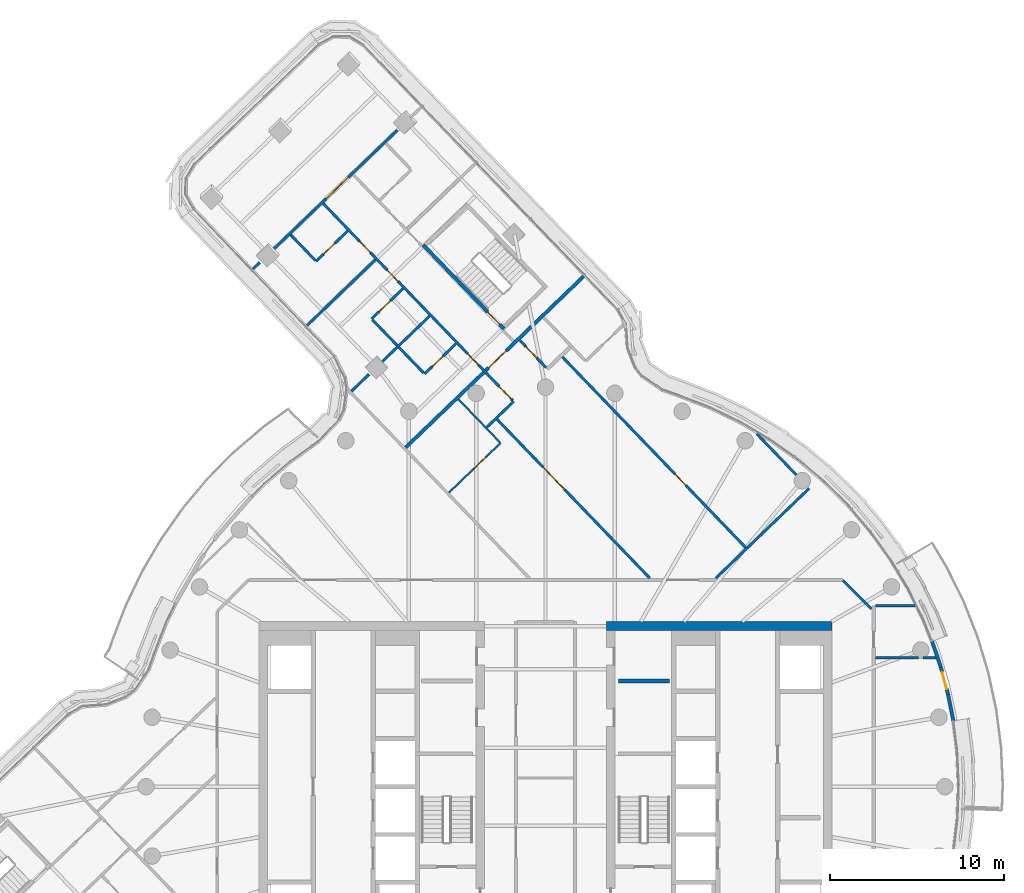
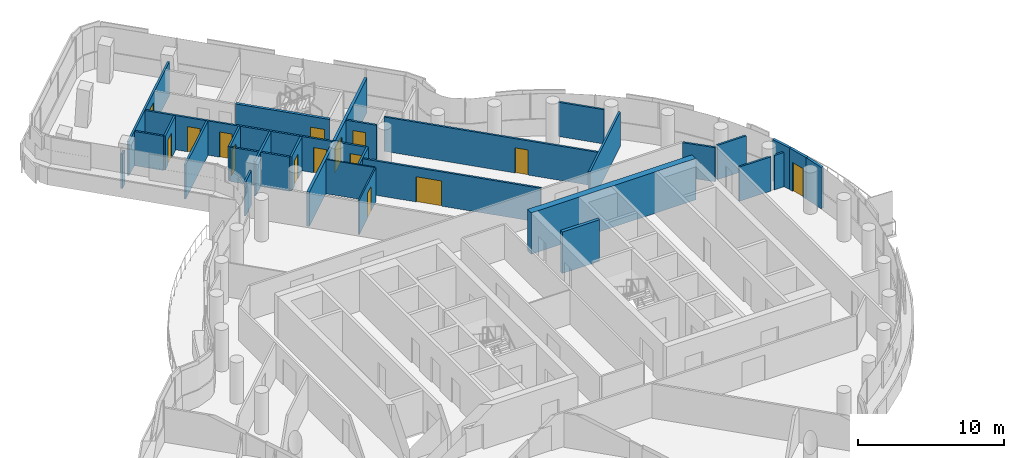
# One storey, part 24 of 34: 30 walls, 15 doors, 15 openings.
"""IFC4 building model written with IfcOpenShell, lengths in metres."""

from ifc_helpers import new_model, si_unit, direction, frame, frame_2d, origin, place, context, subcontext, project, spatial, rectangle, extrude, material, layer, layer_set, type_object, element, fill, save


model = new_model("IFC4")

# Units and contexts
model_context = context("Model", 3, precision=1e-05, world=origin(), true_north=direction((0.0, 1.0)))
body_context = subcontext(model_context, "Body", "Model", "MODEL_VIEW")
ifc_project = project(units=[si_unit("LENGTHUNIT", "METRE"), si_unit("AREAUNIT", "SQUARE_METRE"), si_unit("VOLUMEUNIT", "CUBIC_METRE"), si_unit("PLANEANGLEUNIT", "RADIAN"), si_unit("MASSUNIT", "GRAM", prefix="KILO")], contexts=[model_context])

# Site, building, storey
site_placement = place(None, origin())
site = spatial("IfcSite", under=ifc_project, at=site_placement, CompositionType="ELEMENT")
building_placement = place(site_placement, origin())
building = spatial("IfcBuilding", under=site, at=building_placement, Name="Tamarind Cross Interchange Tower", CompositionType="ELEMENT")
storey_placement = place(building_placement, frame((0.0, 0.0, 193.300048828125)))
storey = spatial("IfcBuildingStorey", under=building, at=storey_placement, Name="L48", CompositionType="ELEMENT", Elevation=193.300048828125)

# Walls
ifc_material_1 = material(Name="Concrete C40", Category="concrete")
ifc_layer_1 = layer(ifc_material_1, 0.199951171875)
ifc_layer_set_1 = layer_set([ifc_layer_1], Name="Concrete C40")
wall_type_1 = type_object("IfcWallType", Name="Balcony and garden door wall", PredefinedType="SOLIDWALL", material=ifc_layer_set_1)
wall_1_placement = place(storey_placement, frame((23.48388671875, 3.787109375, 0.0), z_axis=(0.0, 0.0, 1.0), x_axis=(-0.197456152095, 0.980311719812, 0.0)))
element("IfcWall", 1, at=wall_1_placement, inside=storey, type_object=wall_type_1, Name="EXW-L48-06-D07L", PredefinedType="SOLIDWALL", context=body_context, shape_type="SweptSolid", body=[
    extrude(rectangle(XDim=1.576416015625, YDim=0.199951171875, at=frame_2d((0.7880859375, 0.0))), origin(), (0.0, 0.0, 1.0), 3.4599609375),
])
wall_2_placement = place(storey_placement, frame((22.75927734375, 6.876708984375, 0.0), z_axis=(0.0, 0.0, 1.0), x_axis=(-0.318829263815, 0.947812165218, 0.0)))
element("IfcWall", 2, at=wall_2_placement, inside=storey, type_object=wall_type_1, Name="EXW-L48-06-D07R", PredefinedType="SOLIDWALL", context=body_context, shape_type="SweptSolid", body=[
    extrude(rectangle(XDim=1.575927734375, YDim=0.199951171875, at=frame_2d((0.7880859375, 0.0))), origin(), (0.0, 0.0, 1.0), 3.4599609375),
])

# Wall, opening, door
wall_3_placement = place(storey_placement, frame((23.172607421875, 5.33251953125, 0.0), z_axis=(0.0, 0.0, 1.0), x_axis=(-0.258565587593, 0.965993704386, 0.0)))
wall_3 = element("IfcWall", 3, at=wall_3_placement, inside=storey, type_object=wall_type_1, Name="EXW-L48-06-D07", PredefinedType="SOLIDWALL", context=body_context, shape_type="SweptSolid", body=[
    extrude(rectangle(XDim=1.5986328125, YDim=0.199951171875, at=frame_2d((0.79931640625, 0.0))), origin(), (0.0, 0.0, 1.0), 3.4599609375),
])
opening_1_placement = place(wall_3_placement, frame((0.29931640625, 0.0, 0.0)))
opening_1 = element("IfcOpeningElement", 4, at=opening_1_placement, cuts=wall_3, Name="Opening D2", PredefinedType="OPENING", context=body_context, shape_type="SweptSolid", body=[
    extrude(rectangle(XDim=1.0, YDim=2.39990234375, at=frame_2d((0.5, 1.199951171875))), frame((0.0, 0.10986328125, 0.0), z_axis=(0.0, -1.0, 0.0), x_axis=(1.0, 0.0, 0.0)), (0.0, 0.0, 1.0), 0.219970703125),
])
ifc_material_2 = material(Name="Aluminium and toughened glass", Category="aluminium")
door_type_1 = type_object("IfcDoorType", Name="Balcony and garden door", OperationType="SINGLE_SWING_LEFT", PredefinedType="DOOR", material=ifc_material_2)
door_1_placement = place(opening_1_placement, origin())
door_1 = element("IfcDoor", 5, at=door_1_placement, inside=storey, type_object=door_type_1, Name="DOR-L48-06-07", OperationType="SINGLE_SWING_LEFT", OverallHeight=2.39990234375, OverallWidth=1.0, PredefinedType="DOOR", context=body_context, shape_type="SweptSolid", body=[
    extrude(rectangle(XDim=1.0, YDim=2.39990234375, at=frame_2d((0.5, 1.199951171875))), frame((0.0, 0.02490234375, 0.0), z_axis=(0.0, -1.0, 0.0), x_axis=(1.0, 0.0, 0.0)), (0.0, 0.0, 1.0), 0.050048828125),
])
fill(opening_1, door_1)

# Walls
ifc_material_3 = material(Name="Concrete C55", Category="concrete")
ifc_layer_2 = layer(ifc_material_3, 0.5)
ifc_layer_set_2 = layer_set([ifc_layer_2], Name="Concrete C55")
wall_type_2 = type_object("IfcWallType", Name="Core wall 500 mm Concrete C55", PredefinedType="SHEAR", material=ifc_layer_set_2)
wall_4_placement = place(storey_placement, frame((16.5, 9.25, 0.0), z_axis=(0.0, 0.0, 1.0), x_axis=(-1.0, 0.0, 0.0)))
element("IfcWall", 6, at=wall_4_placement, inside=storey, type_object=wall_type_2, Name="Core wall CWL-L48-E-NE", PredefinedType="SHEAR", context=body_context, shape_type="SweptSolid", body=[
    extrude(rectangle(XDim=13.0, YDim=0.5, at=frame_2d((6.5, 0.0))), origin(), (0.0, 0.0, 1.0), 3.4599609375),
])
ifc_material_4 = material(Name="Gypsum board partition on steel studs", Category="steel")
ifc_layer_3 = layer(ifc_material_4, 0.10009765625)
ifc_layer_set_3 = layer_set([ifc_layer_3], Name="Gypsum board partition on steel studs")
wall_type_3 = type_object("IfcWallType", Name="Partition 100 mm EI 90", PredefinedType="PARTITIONING", material=ifc_layer_set_3)
wall_5_placement = place(storey_placement, frame((-5.015625, 22.309814453125, 0.0), z_axis=(0.0, 0.0, 1.0), x_axis=(0.693210521717, -0.720735161193, 0.0)))
element("IfcWall", 7, at=wall_5_placement, inside=storey, type_object=wall_type_3, Name="Partition L48-029", PredefinedType="PARTITIONING", context=body_context, shape_type="SweptSolid", body=[
    extrude(rectangle(XDim=3.450439453125, YDim=0.10009765625, at=frame_2d((1.72509765625, 0.0))), origin(), (0.0, 0.0, 1.0), 2.864013671875),
])

# Wall, opening, door
wall_6_placement = place(storey_placement, frame((-5.559326171875, 16.931396484375, 0.0), z_axis=(0.0, 0.0, 1.0), x_axis=(0.720864944765, 0.693075559668, 0.0)))
wall_6 = element("IfcWall", 8, at=wall_6_placement, inside=storey, type_object=wall_type_3, Name="Partition L48-075", PredefinedType="PARTITIONING", context=body_context, shape_type="SweptSolid", body=[
    extrude(rectangle(XDim=4.120361328125, YDim=0.10009765625, at=frame_2d((2.06005859375, 0.0))), origin(), (0.0, 0.0, 1.0), 2.864013671875),
])
opening_2_placement = place(wall_6_placement, frame((2.02001953125, 0.0, 0.0)))
opening_2 = element("IfcOpeningElement", 9, at=opening_2_placement, cuts=wall_6, Name="Opening D42", PredefinedType="OPENING", context=body_context, shape_type="SweptSolid", body=[
    extrude(rectangle(XDim=0.89990234375, YDim=2.10009765625, at=frame_2d((0.449951171875, 1.050048828125))), frame((0.0, 0.06005859375, 0.0), z_axis=(0.0, -1.0, 0.0), x_axis=(1.0, 0.0, 0.0)), (0.0, 0.0, 1.0), 0.1201171875),
])
ifc_material_5 = material(Name="Fire-resisting door set")
door_type_2 = type_object("IfcDoorType", Name="Interior door 900 x 2100 FD60S", OperationType="SINGLE_SWING_LEFT", PredefinedType="DOOR", material=ifc_material_5)
door_2_placement = place(opening_2_placement, origin())
door_2 = element("IfcDoor", 10, at=door_2_placement, inside=storey, type_object=door_type_2, Name="Door D42", OperationType="SINGLE_SWING_LEFT", OverallHeight=2.10009765625, OverallWidth=0.89990234375, PredefinedType="DOOR", context=body_context, shape_type="SweptSolid", body=[
    extrude(rectangle(XDim=0.89990234375, YDim=2.10009765625, at=frame_2d((0.449951171875, 1.050048828125))), frame((0.0, 0.02490234375, 0.0), z_axis=(0.0, -1.0, 0.0), x_axis=(1.0, 0.0, 0.0)), (0.0, 0.0, 1.0), 0.050048828125),
])
fill(opening_2, door_2)

# Walls
ifc_layer_4 = layer(ifc_material_4, 0.14990234375)
ifc_layer_set_4 = layer_set([ifc_layer_4], Name="Gypsum board partition on steel studs")
wall_type_4 = type_object("IfcWallType", Name="Partition 150 mm EI 120", PredefinedType="PARTITIONING", material=ifc_layer_set_4)
wall_7_placement = place(storey_placement, frame((-14.675537109375, 31.77734375, 0.0), z_axis=(0.0, 0.0, 1.0), x_axis=(0.693357369174, -0.720593892988, 0.0)))
element("IfcWall", 11, at=wall_7_placement, inside=storey, type_object=wall_type_4, Name="Partition L48-020", PredefinedType="PARTITIONING", context=body_context, shape_type="SweptSolid", body=[
    extrude(rectangle(XDim=2.07958984375, YDim=0.14990234375, at=frame_2d((1.039794921875, 0.0))), origin(), (0.0, 0.0, 1.0), 2.864013671875),
])
wall_8_placement = place(storey_placement, frame((-9.964111328125, 26.880615234375, 0.0), z_axis=(0.0, 0.0, 1.0), x_axis=(0.693360110244, -0.720591255513, 0.0)))
element("IfcWall", 12, at=wall_8_placement, inside=storey, type_object=wall_type_4, Name="Partition L48-021", PredefinedType="PARTITIONING", context=body_context, shape_type="SweptSolid", body=[
    extrude(rectangle(XDim=4.249755859375, YDim=0.14990234375, at=frame_2d((2.125, 0.0))), origin(), (0.0, 0.0, 1.0), 2.864013671875),
])

# Wall, openings, doors
wall_9_placement = place(storey_placement, frame((-12.801513671875, 33.580322265625, 0.0), z_axis=(0.0, 0.0, 1.0), x_axis=(0.693112745752, -0.720829190361, 0.0)))
wall_9 = element("IfcWall", 13, at=wall_9_placement, inside=storey, type_object=wall_type_4, Name="Partition L48-022", PredefinedType="PARTITIONING", context=body_context, shape_type="SweptSolid", body=[
    extrude(rectangle(XDim=15.74072265625, YDim=0.14990234375, at=frame_2d((7.870361328125, 0.0))), origin(), (0.0, 0.0, 1.0), 2.864013671875),
])
opening_3_placement = place(wall_9_placement, frame((14.62060546875, 0.0, 0.0)))
opening_3 = element("IfcOpeningElement", 14, at=opening_3_placement, cuts=wall_9, Name="Opening D08", PredefinedType="OPENING", context=body_context, shape_type="SweptSolid", body=[
    extrude(rectangle(XDim=1.0, YDim=2.10009765625, at=frame_2d((0.5, 1.050048828125))), frame((0.0, 0.0849609375, 0.0), z_axis=(0.0, -1.0, 0.0), x_axis=(1.0, 0.0, 0.0)), (0.0, 0.0, 1.0), 0.169921875),
])
opening_4_placement = place(wall_9_placement, frame((12.0205078125, 0.0, 0.0)))
opening_4 = element("IfcOpeningElement", 15, at=opening_4_placement, cuts=wall_9, Name="Opening D09", PredefinedType="OPENING", context=body_context, shape_type="SweptSolid", body=[
    extrude(rectangle(XDim=0.89990234375, YDim=2.10009765625, at=frame_2d((0.449951171875, 1.050048828125))), frame((0.0, 0.0849609375, 0.0), z_axis=(0.0, -1.0, 0.0), x_axis=(1.0, 0.0, 0.0)), (0.0, 0.0, 1.0), 0.169921875),
])
opening_5_placement = place(wall_9_placement, frame((5.3203125, 0.0, 0.0)))
opening_5 = element("IfcOpeningElement", 16, at=opening_5_placement, cuts=wall_9, Name="Opening D10", PredefinedType="OPENING", context=body_context, shape_type="SweptSolid", body=[
    extrude(rectangle(XDim=0.89990234375, YDim=2.10009765625, at=frame_2d((0.449951171875, 1.050048828125))), frame((0.0, 0.0849609375, 0.0), z_axis=(0.0, -1.0, 0.0), x_axis=(1.0, 0.0, 0.0)), (0.0, 0.0, 1.0), 0.169921875),
])
opening_6_placement = place(wall_9_placement, frame((3.020263671875, 0.0, 0.0)))
opening_6 = element("IfcOpeningElement", 17, at=opening_6_placement, cuts=wall_9, Name="Opening D11", PredefinedType="OPENING", context=body_context, shape_type="SweptSolid", body=[
    extrude(rectangle(XDim=0.89990234375, YDim=2.10009765625, at=frame_2d((0.449951171875, 1.050048828125))), frame((0.0, 0.0849609375, 0.0), z_axis=(0.0, -1.0, 0.0), x_axis=(1.0, 0.0, 0.0)), (0.0, 0.0, 1.0), 0.169921875),
])
door_type_3 = type_object("IfcDoorType", Name="Interior door 1000 x 2100 FD60S", OperationType="SINGLE_SWING_LEFT", PredefinedType="DOOR", material=ifc_material_5)
door_3_placement = place(opening_3_placement, frame((1.0, 0.0, 0.0), z_axis=(0.0, 0.0, 1.0), x_axis=(-1.0, 0.0, 0.0)))
door_3 = element("IfcDoor", 18, at=door_3_placement, inside=storey, type_object=door_type_3, Name="Door D08", OperationType="SINGLE_SWING_RIGHT", OverallHeight=2.10009765625, OverallWidth=1.0, PredefinedType="DOOR", context=body_context, shape_type="SweptSolid", body=[
    extrude(rectangle(XDim=1.0, YDim=2.10009765625, at=frame_2d((0.5, 1.050048828125))), frame((0.0, 0.02490234375, 0.0), z_axis=(0.0, -1.0, 0.0), x_axis=(1.0, 0.0, 0.0)), (0.0, 0.0, 1.0), 0.050048828125),
])
fill(opening_3, door_3)
door_4_placement = place(opening_4_placement, frame((0.89990234375, 0.0, 0.0), z_axis=(0.0, 0.0, 1.0), x_axis=(-1.0, 0.0, 0.0)))
door_4 = element("IfcDoor", 19, at=door_4_placement, inside=storey, type_object=door_type_2, Name="Door D09", OperationType="SINGLE_SWING_RIGHT", OverallHeight=2.10009765625, OverallWidth=0.89990234375, PredefinedType="DOOR", context=body_context, shape_type="SweptSolid", body=[
    extrude(rectangle(XDim=0.89990234375, YDim=2.10009765625, at=frame_2d((0.449951171875, 1.050048828125))), frame((0.0, 0.02490234375, 0.0), z_axis=(0.0, -1.0, 0.0), x_axis=(1.0, 0.0, 0.0)), (0.0, 0.0, 1.0), 0.050048828125),
])
fill(opening_4, door_4)
door_5_placement = place(opening_5_placement, frame((0.89990234375, 0.0, 0.0), z_axis=(0.0, 0.0, 1.0), x_axis=(-1.0, 0.0, 0.0)))
door_5 = element("IfcDoor", 20, at=door_5_placement, inside=storey, type_object=door_type_2, Name="Door D10", OperationType="SINGLE_SWING_LEFT", OverallHeight=2.10009765625, OverallWidth=0.89990234375, PredefinedType="DOOR", context=body_context, shape_type="SweptSolid", body=[
    extrude(rectangle(XDim=0.89990234375, YDim=2.10009765625, at=frame_2d((0.449951171875, 1.050048828125))), frame((0.0, 0.02490234375, 0.0), z_axis=(0.0, -1.0, 0.0), x_axis=(1.0, 0.0, 0.0)), (0.0, 0.0, 1.0), 0.050048828125),
])
fill(opening_5, door_5)
door_6_placement = place(opening_6_placement, frame((0.89990234375, 0.0, 0.0), z_axis=(0.0, 0.0, 1.0), x_axis=(-1.0, 0.0, 0.0)))
door_6 = element("IfcDoor", 21, at=door_6_placement, inside=storey, type_object=door_type_2, Name="Door D11", OperationType="SINGLE_SWING_LEFT", OverallHeight=2.10009765625, OverallWidth=0.89990234375, PredefinedType="DOOR", context=body_context, shape_type="SweptSolid", body=[
    extrude(rectangle(XDim=0.89990234375, YDim=2.10009765625, at=frame_2d((0.449951171875, 1.050048828125))), frame((0.0, 0.02490234375, 0.0), z_axis=(0.0, -1.0, 0.0), x_axis=(1.0, 0.0, 0.0)), (0.0, 0.0, 1.0), 0.050048828125),
])
fill(opening_6, door_6)

# Wall, opening, door
wall_10_placement = place(storey_placement, frame((-2.78857421875, 21.1494140625, 0.0), z_axis=(0.0, 0.0, 1.0), x_axis=(0.69313987773, -0.720803100646, 0.0)))
wall_10 = element("IfcWall", 22, at=wall_10_placement, inside=storey, type_object=wall_type_4, Name="Partition L48-030", PredefinedType="PARTITIONING", context=body_context, shape_type="SweptSolid", body=[
    extrude(rectangle(XDim=12.68212890625, YDim=0.14990234375, at=frame_2d((6.341064453125, 0.0))), origin(), (0.0, 0.0, 1.0), 2.864013671875),
])
opening_7_placement = place(wall_10_placement, frame((3.820068359375, 0.0, 0.0)))
opening_7 = element("IfcOpeningElement", 23, at=opening_7_placement, cuts=wall_10, Name="Opening D16", PredefinedType="OPENING", context=body_context, shape_type="SweptSolid", body=[
    extrude(rectangle(XDim=1.800048828125, YDim=2.10009765625, at=frame_2d((0.89990234375, 1.050048828125))), frame((0.0, 0.0849609375, 0.0), z_axis=(0.0, -1.0, 0.0), x_axis=(1.0, 0.0, 0.0)), (0.0, 0.0, 1.0), 0.169921875),
])
door_type_4 = type_object("IfcDoorType", Name="Interior door 1800 x 2100 FD60S", OperationType="DOUBLE_DOOR_SINGLE_SWING", PredefinedType="DOOR", material=ifc_material_5)
door_7_placement = place(opening_7_placement, frame((1.800048828125, 0.0, 0.0), z_axis=(0.0, 0.0, 1.0), x_axis=(-1.0, 0.0, 0.0)))
door_7 = element("IfcDoor", 24, at=door_7_placement, inside=storey, type_object=door_type_4, Name="Door D16", OperationType="DOUBLE_DOOR_SINGLE_SWING", OverallHeight=2.10009765625, OverallWidth=1.800048828125, PredefinedType="DOOR", context=body_context, shape_type="SweptSolid", body=[
    extrude(rectangle(XDim=1.800048828125, YDim=2.10009765625, at=frame_2d((0.89990234375, 1.050048828125))), frame((0.0, 0.02490234375, 0.0), z_axis=(0.0, -1.0, 0.0), x_axis=(1.0, 0.0, 0.0)), (0.0, 0.0, 1.0), 0.050048828125),
])
fill(opening_7, door_7)

wall_11_placement = place(storey_placement, frame((-1.4697265625, 25.6923828125, 0.0), z_axis=(0.0, 0.0, 1.0), x_axis=(0.693223109089, -0.720723054317, 0.0)))
wall_11 = element("IfcWall", 25, at=wall_11_placement, inside=storey, type_object=wall_type_4, Name="Partition L48-031", PredefinedType="PARTITIONING", context=body_context, shape_type="SweptSolid", body=[
    extrude(rectangle(XDim=2.175048828125, YDim=0.14990234375, at=frame_2d((1.08740234375, 0.0))), origin(), (0.0, 0.0, 1.0), 2.864013671875),
])
opening_8_placement = place(wall_11_placement, frame((0.47998046875, 0.0, 0.0)))
opening_8 = element("IfcOpeningElement", 26, at=opening_8_placement, cuts=wall_11, Name="Opening D17", PredefinedType="OPENING", context=body_context, shape_type="SweptSolid", body=[
    extrude(rectangle(XDim=0.89990234375, YDim=2.10009765625, at=frame_2d((0.449951171875, 1.050048828125))), frame((0.0, 0.0849609375, 0.0), z_axis=(0.0, -1.0, 0.0), x_axis=(1.0, 0.0, 0.0)), (0.0, 0.0, 1.0), 0.169921875),
])
door_8_placement = place(opening_8_placement, origin())
door_8 = element("IfcDoor", 27, at=door_8_placement, inside=storey, type_object=door_type_2, Name="Door D17", OperationType="SINGLE_SWING_RIGHT", OverallHeight=2.10009765625, OverallWidth=0.89990234375, PredefinedType="DOOR", context=body_context, shape_type="SweptSolid", body=[
    extrude(rectangle(XDim=0.89990234375, YDim=2.10009765625, at=frame_2d((0.449951171875, 1.050048828125))), frame((0.0, 0.02490234375, 0.0), z_axis=(0.0, -1.0, 0.0), x_axis=(1.0, 0.0, 0.0)), (0.0, 0.0, 1.0), 0.050048828125),
])
fill(opening_8, door_8)

wall_12_placement = place(storey_placement, frame((0.973388671875, 24.739013671875, 0.0), z_axis=(0.0, 0.0, 1.0), x_axis=(0.693135644714, -0.720807171182, 0.0)))
wall_12 = element("IfcWall", 28, at=wall_12_placement, inside=storey, type_object=wall_type_4, Name="Partition L48-034", PredefinedType="PARTITIONING", context=body_context, shape_type="SweptSolid", body=[
    extrude(rectangle(XDim=15.21923828125, YDim=0.14990234375, at=frame_2d((7.609619140625, 0.0))), origin(), (0.0, 0.0, 1.0), 2.864013671875),
])
opening_9_placement = place(wall_12_placement, frame((9.35009765625, 0.0, 0.0)))
opening_9 = element("IfcOpeningElement", 29, at=opening_9_placement, cuts=wall_12, Name="Opening D18", PredefinedType="OPENING", context=body_context, shape_type="SweptSolid", body=[
    extrude(rectangle(XDim=0.89990234375, YDim=2.10009765625, at=frame_2d((0.449951171875, 1.050048828125))), frame((0.0, 0.0849609375, 0.0), z_axis=(0.0, -1.0, 0.0), x_axis=(1.0, 0.0, 0.0)), (0.0, 0.0, 1.0), 0.169921875),
])
door_9_placement = place(opening_9_placement, origin())
door_9 = element("IfcDoor", 30, at=door_9_placement, inside=storey, type_object=door_type_2, Name="Door D18", OperationType="SINGLE_SWING_LEFT", OverallHeight=2.10009765625, OverallWidth=0.89990234375, PredefinedType="DOOR", context=body_context, shape_type="SweptSolid", body=[
    extrude(rectangle(XDim=0.89990234375, YDim=2.10009765625, at=frame_2d((0.449951171875, 1.050048828125))), frame((0.0, 0.02490234375, 0.0), z_axis=(0.0, -1.0, 0.0), x_axis=(1.0, 0.0, 0.0)), (0.0, 0.0, 1.0), 0.050048828125),
])
fill(opening_9, door_9)

# Walls
wall_13_placement = place(storey_placement, frame((12.173583984375, 20.30615234375, 0.0), z_axis=(0.0, 0.0, 1.0), x_axis=(0.693080436315, -0.720860256081, 0.0)))
element("IfcWall", 31, at=wall_13_placement, inside=storey, type_object=wall_type_4, Name="Partition L48-040", PredefinedType="PARTITIONING", context=body_context, shape_type="SweptSolid", body=[
    extrude(rectangle(XDim=3.278076171875, YDim=0.14990234375, at=frame_2d((1.63916015625, 0.0))), origin(), (0.0, 0.0, 1.0), 2.864013671875),
])
wall_14_placement = place(storey_placement, frame((17.12841796875, 11.87158203125, 0.0), z_axis=(0.0, 0.0, 1.0), x_axis=(0.707106781187, -0.707106781187, 0.0)))
element("IfcWall", 32, at=wall_14_placement, inside=storey, type_object=wall_type_4, Name="Partition L48-042", PredefinedType="PARTITIONING", context=body_context, shape_type="SweptSolid", body=[
    extrude(rectangle(XDim=2.3154296875, YDim=0.14990234375, at=frame_2d((1.15771484375, 0.0))), origin(), (0.0, 0.0, 1.0), 2.864013671875),
])
wall_15_placement = place(storey_placement, frame((18.985107421875, 10.416015625, 0.0), z_axis=(0.0, 0.0, 1.0), x_axis=(1.0, 0.0, 0.0)))
element("IfcWall", 33, at=wall_15_placement, inside=storey, type_object=wall_type_4, Name="Partition L48-049", PredefinedType="PARTITIONING", context=body_context, shape_type="SweptSolid", body=[
    extrude(rectangle(XDim=2.275146484375, YDim=0.14990234375, at=frame_2d((1.1376953125, 0.0))), origin(), (0.0, 0.0, 1.0), 2.864013671875),
])
wall_16_placement = place(storey_placement, frame((18.985107421875, 7.416015625, 0.0), z_axis=(0.0, 0.0, 1.0), x_axis=(1.0, 0.0, 0.0)))
element("IfcWall", 34, at=wall_16_placement, inside=storey, type_object=wall_type_4, Name="Partition L48-050", PredefinedType="PARTITIONING", context=body_context, shape_type="SweptSolid", body=[
    extrude(rectangle(XDim=2.498779296875, YDim=0.14990234375, at=frame_2d((1.24951171875, 0.0))), origin(), (0.0, 0.0, 1.0), 2.864013671875),
])
wall_17_placement = place(storey_placement, frame((21.74169921875, 7.416015625, 0.0), z_axis=(0.0, 0.0, 1.0), x_axis=(1.0, 0.0, 0.0)))
element("IfcWall", 35, at=wall_17_placement, inside=storey, type_object=wall_type_4, Name="Partition L48-051", PredefinedType="PARTITIONING", context=body_context, shape_type="SweptSolid", body=[
    extrude(rectangle(XDim=0.7490234375, YDim=0.14990234375, at=frame_2d((0.37451171875, 0.0))), origin(), (0.0, 0.0, 1.0), 2.864013671875),
])
wall_18_placement = place(storey_placement, frame((-16.833251953125, 29.8125, 0.0), z_axis=(0.0, 0.0, 1.0), x_axis=(0.720388662029, 0.693570598872, 0.0)))
element("IfcWall", 36, at=wall_18_placement, inside=storey, type_object=wall_type_4, Name="Partition L48-062", PredefinedType="PARTITIONING", context=body_context, shape_type="SweptSolid", body=[
    extrude(rectangle(XDim=0.528076171875, YDim=0.14990234375, at=frame_2d((0.26416015625, 0.0))), origin(), (0.0, 0.0, 1.0), 2.864013671875),
])

# Wall, opening, door
wall_19_placement = place(storey_placement, frame((-15.68701171875, 30.915283203125, 0.0), z_axis=(0.0, 0.0, 1.0), x_axis=(0.720669245309, 0.693279048339, 0.0)))
wall_19 = element("IfcWall", 37, at=wall_19_placement, inside=storey, type_object=wall_type_4, Name="Partition L48-063", PredefinedType="PARTITIONING", context=body_context, shape_type="SweptSolid", body=[
    extrude(rectangle(XDim=9.9384765625, YDim=0.14990234375, at=frame_2d((4.96923828125, 0.0))), origin(), (0.0, 0.0, 1.0), 2.864013671875),
])
opening_10_placement = place(wall_19_placement, frame((4.22705078125, 0.0, 0.0)))
opening_10 = element("IfcOpeningElement", 38, at=opening_10_placement, cuts=wall_19, Name="Opening D36", PredefinedType="OPENING", context=body_context, shape_type="SweptSolid", body=[
    extrude(rectangle(XDim=1.800048828125, YDim=2.10009765625, at=frame_2d((0.89990234375, 1.050048828125))), frame((0.0, 0.0849609375, 0.0), z_axis=(0.0, -1.0, 0.0), x_axis=(1.0, 0.0, 0.0)), (0.0, 0.0, 1.0), 0.169921875),
])
door_10_placement = place(opening_10_placement, origin())
door_10 = element("IfcDoor", 39, at=door_10_placement, inside=storey, type_object=door_type_4, Name="Door D36", OperationType="DOUBLE_DOOR_SINGLE_SWING", OverallHeight=2.10009765625, OverallWidth=1.800048828125, PredefinedType="DOOR", context=body_context, shape_type="SweptSolid", body=[
    extrude(rectangle(XDim=1.800048828125, YDim=2.10009765625, at=frame_2d((0.89990234375, 1.050048828125))), frame((0.0, 0.02490234375, 0.0), z_axis=(0.0, -1.0, 0.0), x_axis=(1.0, 0.0, 0.0)), (0.0, 0.0, 1.0), 0.050048828125),
])
fill(opening_10, door_10)

# Wall
wall_20_placement = place(storey_placement, frame((-13.7265625, 26.5576171875, 0.0), z_axis=(0.0, 0.0, 1.0), x_axis=(0.720737578591, 0.693208008326, 0.0)))
element("IfcWall", 40, at=wall_20_placement, inside=storey, type_object=wall_type_4, Name="Partition L48-066", PredefinedType="PARTITIONING", context=body_context, shape_type="SweptSolid", body=[
    extrude(rectangle(XDim=5.4541015625, YDim=0.14990234375, at=frame_2d((2.72705078125, 0.0))), origin(), (0.0, 0.0, 1.0), 2.864013671875),
])

# Wall, opening, door
wall_21_placement = place(storey_placement, frame((-13.2060546875, 30.25, 0.0), z_axis=(0.0, 0.0, 1.0), x_axis=(0.720825617884, 0.693116461067, 0.0)))
wall_21 = element("IfcWall", 41, at=wall_21_placement, inside=storey, type_object=wall_type_4, Name="Partition L48-068", PredefinedType="PARTITIONING", context=body_context, shape_type="SweptSolid", body=[
    extrude(rectangle(XDim=2.519775390625, YDim=0.14990234375, at=frame_2d((1.259765625, 0.0))), origin(), (0.0, 0.0, 1.0), 2.864013671875),
])
opening_11_placement = place(wall_21_placement, frame((0.60009765625, 0.0, 0.0)))
opening_11 = element("IfcOpeningElement", 42, at=opening_11_placement, cuts=wall_21, Name="Opening D37", PredefinedType="OPENING", context=body_context, shape_type="SweptSolid", body=[
    extrude(rectangle(XDim=0.89990234375, YDim=2.10009765625, at=frame_2d((0.449951171875, 1.050048828125))), frame((0.0, 0.0849609375, 0.0), z_axis=(0.0, -1.0, 0.0), x_axis=(1.0, 0.0, 0.0)), (0.0, 0.0, 1.0), 0.169921875),
])
door_11_placement = place(opening_11_placement, origin())
door_11 = element("IfcDoor", 43, at=door_11_placement, inside=storey, type_object=door_type_2, Name="Door D37", OperationType="SINGLE_SWING_RIGHT", OverallHeight=2.10009765625, OverallWidth=0.89990234375, PredefinedType="DOOR", context=body_context, shape_type="SweptSolid", body=[
    extrude(rectangle(XDim=0.89990234375, YDim=2.10009765625, at=frame_2d((0.449951171875, 1.050048828125))), frame((0.0, 0.02490234375, 0.0), z_axis=(0.0, -1.0, 0.0), x_axis=(1.0, 0.0, 0.0)), (0.0, 0.0, 1.0), 0.050048828125),
])
fill(opening_11, door_11)

# Walls
wall_22_placement = place(storey_placement, frame((-11.17333984375, 22.76953125, 0.0), z_axis=(0.0, 0.0, 1.0), x_axis=(0.720799848532, 0.69314325962, 0.0)))
element("IfcWall", 44, at=wall_22_placement, inside=storey, type_object=wall_type_4, Name="Partition L48-070", PredefinedType="PARTITIONING", context=body_context, shape_type="SweptSolid", body=[
    extrude(rectangle(XDim=1.412353515625, YDim=0.14990234375, at=frame_2d((0.7060546875, 0.0))), origin(), (0.0, 0.0, 1.0), 2.864013671875),
])
wall_23_placement = place(storey_placement, frame((-9.38916015625, 24.485107421875, 0.0), z_axis=(0.0, 0.0, 1.0), x_axis=(0.720750827373, 0.693194233127, 0.0)))
element("IfcWall", 45, at=wall_23_placement, inside=storey, type_object=wall_type_4, Name="Partition L48-071", PredefinedType="PARTITIONING", context=body_context, shape_type="SweptSolid", body=[
    extrude(rectangle(XDim=3.765380859375, YDim=0.14990234375, at=frame_2d((1.8828125, 0.0))), origin(), (0.0, 0.0, 1.0), 2.864013671875),
])

# Wall, opening, door
wall_24_placement = place(storey_placement, frame((-10.01708984375, 26.93408203125, 0.0), z_axis=(0.0, 0.0, 1.0), x_axis=(0.720825617884, 0.693116461067, 0.0)))
wall_24 = element("IfcWall", 46, at=wall_24_placement, inside=storey, type_object=wall_type_4, Name="Partition L48-072", PredefinedType="PARTITIONING", context=body_context, shape_type="SweptSolid", body=[
    extrude(rectangle(XDim=2.519775390625, YDim=0.14990234375, at=frame_2d((1.259765625, 0.0))), origin(), (0.0, 0.0, 1.0), 2.864013671875),
])
opening_12_placement = place(wall_24_placement, frame((0.60009765625, 0.0, 0.0)))
opening_12 = element("IfcOpeningElement", 47, at=opening_12_placement, cuts=wall_24, Name="Opening D39", PredefinedType="OPENING", context=body_context, shape_type="SweptSolid", body=[
    extrude(rectangle(XDim=0.89990234375, YDim=2.10009765625, at=frame_2d((0.449951171875, 1.050048828125))), frame((0.0, 0.0849609375, 0.0), z_axis=(0.0, -1.0, 0.0), x_axis=(1.0, 0.0, 0.0)), (0.0, 0.0, 1.0), 0.169921875),
])
door_12_placement = place(opening_12_placement, frame((0.89990234375, 0.0, 0.0), z_axis=(0.0, 0.0, 1.0), x_axis=(-1.0, 0.0, 0.0)))
door_12 = element("IfcDoor", 48, at=door_12_placement, inside=storey, type_object=door_type_2, Name="Door D39", OperationType="SINGLE_SWING_LEFT", OverallHeight=2.10009765625, OverallWidth=0.89990234375, PredefinedType="DOOR", context=body_context, shape_type="SweptSolid", body=[
    extrude(rectangle(XDim=0.89990234375, YDim=2.10009765625, at=frame_2d((0.449951171875, 1.050048828125))), frame((0.0, 0.02490234375, 0.0), z_axis=(0.0, -1.0, 0.0), x_axis=(1.0, 0.0, 0.0)), (0.0, 0.0, 1.0), 0.050048828125),
])
fill(opening_12, door_12)

wall_25_placement = place(storey_placement, frame((-6.967041015625, 23.762939453125, 0.0), z_axis=(0.0, 0.0, 1.0), x_axis=(0.720825617884, 0.693116461067, 0.0)))
wall_25 = element("IfcWall", 49, at=wall_25_placement, inside=storey, type_object=wall_type_4, Name="Partition L48-074", PredefinedType="PARTITIONING", context=body_context, shape_type="SweptSolid", body=[
    extrude(rectangle(XDim=2.519775390625, YDim=0.14990234375, at=frame_2d((1.259765625, 0.0))), origin(), (0.0, 0.0, 1.0), 2.864013671875),
])
opening_13_placement = place(wall_25_placement, frame((0.60009765625, 0.0, 0.0)))
opening_13 = element("IfcOpeningElement", 50, at=opening_13_placement, cuts=wall_25, Name="Opening D41", PredefinedType="OPENING", context=body_context, shape_type="SweptSolid", body=[
    extrude(rectangle(XDim=0.89990234375, YDim=2.10009765625, at=frame_2d((0.449951171875, 1.050048828125))), frame((0.0, 0.0849609375, 0.0), z_axis=(0.0, -1.0, 0.0), x_axis=(1.0, 0.0, 0.0)), (0.0, 0.0, 1.0), 0.169921875),
])
door_13_placement = place(opening_13_placement, origin())
door_13 = element("IfcDoor", 51, at=door_13_placement, inside=storey, type_object=door_type_2, Name="Door D41", OperationType="SINGLE_SWING_RIGHT", OverallHeight=2.10009765625, OverallWidth=0.89990234375, PredefinedType="DOOR", context=body_context, shape_type="SweptSolid", body=[
    extrude(rectangle(XDim=0.89990234375, YDim=2.10009765625, at=frame_2d((0.449951171875, 1.050048828125))), frame((0.0, 0.02490234375, 0.0), z_axis=(0.0, -1.0, 0.0), x_axis=(1.0, 0.0, 0.0)), (0.0, 0.0, 1.0), 0.050048828125),
])
fill(opening_13, door_13)

# Walls
wall_26_placement = place(storey_placement, frame((-3.377685546875, 20.693603515625, 0.0), z_axis=(0.0, 0.0, 1.0), x_axis=(0.720719068909, 0.693227252574, 0.0)))
element("IfcWall", 52, at=wall_26_placement, inside=storey, type_object=wall_type_4, Name="Partition L48-077", PredefinedType="PARTITIONING", context=body_context, shape_type="SweptSolid", body=[
    extrude(rectangle(XDim=2.14013671875, YDim=0.14990234375, at=frame_2d((1.070068359375, 0.0))), origin(), (0.0, 0.0, 1.0), 2.864013671875),
])
wall_27_placement = place(storey_placement, frame((9.810302734375, 12.010986328125, 0.0), z_axis=(0.0, 0.0, 1.0), x_axis=(0.720763816656, 0.693180727227, 0.0)))
element("IfcWall", 53, at=wall_27_placement, inside=storey, type_object=wall_type_4, Name="Partition L48-089", PredefinedType="PARTITIONING", context=body_context, shape_type="SweptSolid", body=[
    extrude(rectangle(XDim=7.45263671875, YDim=0.14990234375, at=frame_2d((3.726318359375, 0.0))), origin(), (0.0, 0.0, 1.0), 2.864013671875),
])

# Wall, opening, door
ifc_layer_5 = layer(ifc_material_4, 0.199951171875)
ifc_layer_set_5 = layer_set([ifc_layer_5], Name="Gypsum board partition on steel studs")
wall_type_5 = type_object("IfcWallType", Name="Partition 200 mm EI 180", PredefinedType="PARTITIONING", material=ifc_layer_set_5)
wall_28_placement = place(storey_placement, frame((-8.05419921875, 19.526611328125, 0.0), z_axis=(0.0, 0.0, 1.0), x_axis=(0.72077697185, 0.693167048301, 0.0)))
wall_28 = element("IfcWall", 54, at=wall_28_placement, inside=storey, type_object=wall_type_5, Name="Partition L48-073", PredefinedType="PARTITIONING", context=body_context, shape_type="SweptSolid", body=[
    extrude(rectangle(XDim=14.21875, YDim=0.199951171875, at=frame_2d((7.109375, 0.0))), origin(), (0.0, 0.0, 1.0), 2.864013671875),
])
opening_14_placement = place(wall_28_placement, frame((6.619873046875, 0.0, 0.0)))
opening_14 = element("IfcOpeningElement", 55, at=opening_14_placement, cuts=wall_28, Name="Opening D40", PredefinedType="OPENING", context=body_context, shape_type="SweptSolid", body=[
    extrude(rectangle(XDim=1.39990234375, YDim=2.10009765625, at=frame_2d((0.699951171875, 1.050048828125))), frame((0.0, 0.10986328125, 0.0), z_axis=(0.0, -1.0, 0.0), x_axis=(1.0, 0.0, 0.0)), (0.0, 0.0, 1.0), 0.219970703125),
])
door_type_5 = type_object("IfcDoorType", Name="Interior door 1400 x 2100 FD120S", OperationType="DOUBLE_DOOR_SINGLE_SWING", PredefinedType="DOOR", material=ifc_material_5)
door_14_placement = place(opening_14_placement, frame((1.39990234375, 0.0, 0.0), z_axis=(0.0, 0.0, 1.0), x_axis=(-1.0, 0.0, 0.0)))
door_14 = element("IfcDoor", 56, at=door_14_placement, inside=storey, type_object=door_type_5, Name="Door D40", OperationType="DOUBLE_DOOR_SINGLE_SWING", OverallHeight=2.10009765625, OverallWidth=1.39990234375, PredefinedType="DOOR", context=body_context, shape_type="SweptSolid", body=[
    extrude(rectangle(XDim=1.39990234375, YDim=2.10009765625, at=frame_2d((0.699951171875, 1.050048828125))), frame((0.0, 0.02490234375, 0.0), z_axis=(0.0, -1.0, 0.0), x_axis=(1.0, 0.0, 0.0)), (0.0, 0.0, 1.0), 0.050048828125),
])
fill(opening_14, door_14)

# Wall
ifc_layer_6 = layer(ifc_material_1, 0.25)
ifc_layer_set_6 = layer_set([ifc_layer_6], Name="Concrete C40")
wall_type_6 = type_object("IfcWallType", Name="Shaft and lobby wall 250 mm Concrete C40", PredefinedType="PARTITIONING", material=ifc_layer_set_6)
wall_29_placement = place(storey_placement, frame((7.14990234375, 6.080078125, 0.0), z_axis=(0.0, 0.0, 1.0), x_axis=(-1.0, 0.0, 0.0)))
element("IfcWall", 57, at=wall_29_placement, inside=storey, type_object=wall_type_6, Name="Shaft wall CWL-L48-E-SVP", PredefinedType="PARTITIONING", context=body_context, shape_type="SweptSolid", body=[
    extrude(rectangle(XDim=2.949951171875, YDim=0.25, at=frame_2d((1.47509765625, 0.0))), origin(), (0.0, 0.0, 1.0), 3.4599609375),
])

# Wall, opening, door
ifc_layer_7 = layer(ifc_material_1, 0.199951171875)
ifc_layer_set_7 = layer_set([ifc_layer_7], Name="Concrete C40")
wall_type_7 = type_object("IfcWallType", Name="Stair shaft wall 200 mm Concrete C40", PredefinedType="SHEAR", material=ifc_layer_set_7)
wall_30_placement = place(storey_placement, frame((-2.39013671875, 26.36083984375, -0.14013671875), z_axis=(0.0, 0.0, 1.0), x_axis=(-0.693180078499, 0.720764440557, 0.0)))
wall_30 = element("IfcWall", 58, at=wall_30_placement, inside=storey, type_object=wall_type_7, Name="Core wall CWL-L48-ST4-H", PredefinedType="SHEAR", context=body_context, shape_type="SweptSolid", body=[
    extrude(rectangle(XDim=6.699951171875, YDim=0.199951171875, at=frame_2d((3.35009765625, 0.0))), origin(), (0.0, 0.0, 1.0), 3.004150390625),
])
opening_15_placement = place(wall_30_placement, frame((0.35009765625, 0.0, 0.0)))
opening_15 = element("IfcOpeningElement", 59, at=opening_15_placement, cuts=wall_30, Name="Opening ST4L48", PredefinedType="OPENING", context=body_context, shape_type="SweptSolid", body=[
    extrude(rectangle(XDim=1.0, YDim=2.10009765625, at=frame_2d((0.5, 1.050048828125))), frame((0.0, 0.10986328125, 0.0), z_axis=(0.0, -1.0, 0.0), x_axis=(1.0, 0.0, 0.0)), (0.0, 0.0, 1.0), 0.219970703125),
])
ifc_material_6 = material(Name="Steel, fire-resisting", Category="steel")
door_type_6 = type_object("IfcDoorType", Name="Core fire door 1000 x 2100 FD90", OperationType="SINGLE_SWING_LEFT", PredefinedType="DOOR", material=ifc_material_6)
door_15_placement = place(opening_15_placement, origin())
door_15 = element("IfcDoor", 60, at=door_15_placement, inside=storey, type_object=door_type_6, Name="L48 stair door ST4", OperationType="SINGLE_SWING_LEFT", OverallHeight=2.10009765625, OverallWidth=1.0, PredefinedType="DOOR", context=body_context, shape_type="SweptSolid", body=[
    extrude(rectangle(XDim=1.0, YDim=2.10009765625, at=frame_2d((0.5, 1.050048828125))), frame((0.0, 0.02490234375, 0.0), z_axis=(0.0, -1.0, 0.0), x_axis=(1.0, 0.0, 0.0)), (0.0, 0.0, 1.0), 0.050048828125),
])
fill(opening_15, door_15)

save(model, "model.ifc")
